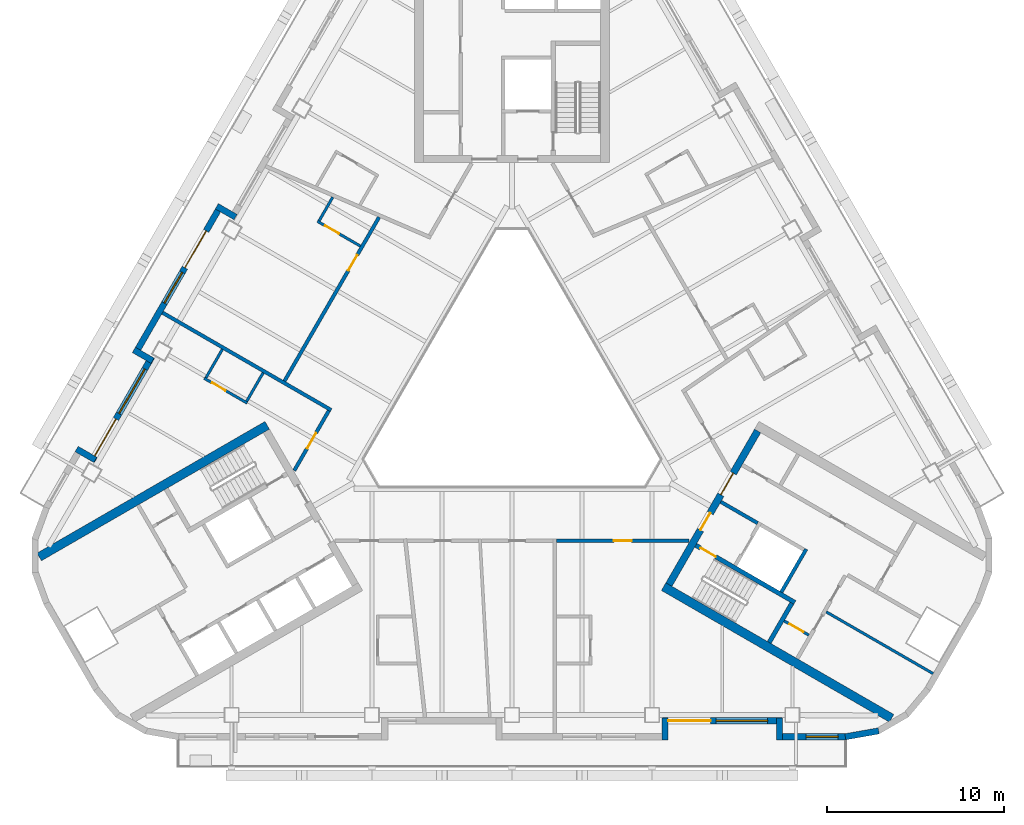
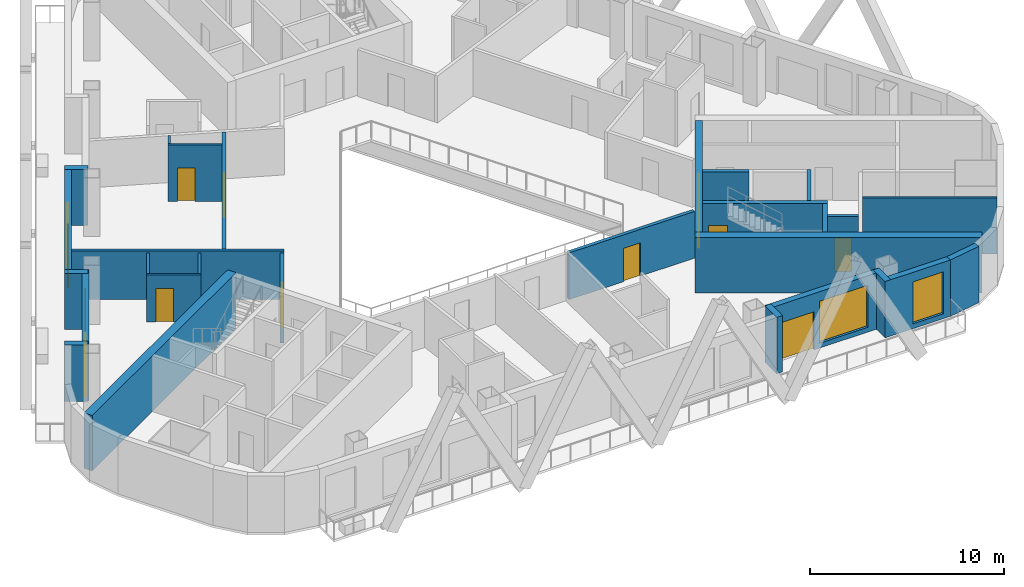
# One storey, part 4 of 13: 28 walls, 12 doors, 4 windows, 16 openings.
"""IFC4 building model written with IfcOpenShell, lengths in metres."""

from ifc_helpers import new_model, si_unit, direction, frame, frame_2d, origin, place, context, subcontext, project, spatial, rectangle, extrude, material, layer, layer_set, type_object, element, fill, save


model = new_model("IFC4")

# Units and contexts
model_context = context("Model", 3, precision=1e-05, world=origin(), true_north=direction((0.0, 1.0)))
body_context = subcontext(model_context, "Body", "Model", "MODEL_VIEW")
ifc_project = project(units=[si_unit("LENGTHUNIT", "METRE"), si_unit("AREAUNIT", "SQUARE_METRE"), si_unit("VOLUMEUNIT", "CUBIC_METRE"), si_unit("PLANEANGLEUNIT", "RADIAN"), si_unit("MASSUNIT", "GRAM", prefix="KILO")], contexts=[model_context])

# Site, building, storey
site_placement = place(None, origin())
site = spatial("IfcSite", under=ifc_project, at=site_placement, CompositionType="ELEMENT")
building_placement = place(site_placement, origin())
building = spatial("IfcBuilding", under=site, at=building_placement, Name="Apuvela Tower Hotel", CompositionType="ELEMENT")
storey_placement = place(building_placement, frame((0.0, 0.0, 161.39990234375)))
storey = spatial("IfcBuildingStorey", under=building, at=storey_placement, Name="L38", CompositionType="ELEMENT", Elevation=161.39990234375)

# Wall, openings, doors
ifc_material_1 = material(Name="Concrete C50/60", Category="concrete")
ifc_layer_1 = layer(ifc_material_1, 0.39990234375)
ifc_layer_set_1 = layer_set([ifc_layer_1], Name="COR-WALL-CORE-400")
wall_type_1 = type_object("IfcWallType", Name="COR-WALL-CORE-400", PredefinedType="SHEAR", material=ifc_layer_set_1)
wall_1_placement = place(storey_placement, frame((8.844970703125, -10.880126953125, 0.0), z_axis=(0.0, 0.0, 1.0), x_axis=(0.500004234368, 0.866022959057, 0.0)))
wall_1 = element("IfcWall", 1, at=wall_1_placement, inside=storey, type_object=wall_type_1, Name="Core wall SE", PredefinedType="SHEAR", context=body_context, shape_type="SweptSolid", body=[
    extrude(rectangle(XDim=10.0, YDim=0.39990234375, at=frame_2d((5.0, 0.0))), origin(), (0.0, 0.0, 1.0), 3.5),
])
opening_1_placement = place(wall_1_placement, frame((3.550048828125, 0.0, 0.0)))
opening_1 = element("IfcOpeningElement", 2, at=opening_1_placement, cuts=wall_1, Name="Opening E-FD", PredefinedType="OPENING", context=body_context, shape_type="SweptSolid", body=[
    extrude(rectangle(XDim=1.10009765625, YDim=2.10009765625, at=frame_2d((0.550048828125, 1.050048828125))), frame((0.0, 0.2099609375, 0.0), z_axis=(0.0, -1.0, 0.0), x_axis=(1.0, 0.0, 0.0)), (0.0, 0.0, 1.0), 0.419921875),
])
opening_2_placement = place(wall_1_placement, frame((5.85009765625, 0.0, 0.0)))
opening_2 = element("IfcOpeningElement", 3, at=opening_2_placement, cuts=wall_1, Name="Opening E-GD", PredefinedType="OPENING", context=body_context, shape_type="SweptSolid", body=[
    extrude(rectangle(XDim=1.39990234375, YDim=2.10009765625, at=frame_2d((0.699951171875, 1.050048828125))), frame((0.0, 0.2099609375, 0.0), z_axis=(0.0, -1.0, 0.0), x_axis=(1.0, 0.0, 0.0)), (0.0, 0.0, 1.0), 0.419921875),
])
ifc_material_2 = material(Name="Steel fire door, powder coated", Category="steel")
door_type_1 = type_object("IfcDoorType", Name="COR-FD-1100", OperationType="NOTDEFINED", PredefinedType="DOOR", material=ifc_material_2)
door_1_placement = place(opening_1_placement, frame((1.10009765625, 0.0, 0.0), z_axis=(0.0, 0.0, 1.0), x_axis=(-1.0, 0.0, 0.0)))
door_1 = element("IfcDoor", 4, at=door_1_placement, inside=storey, type_object=door_type_1, Name="Firefighting lobby door E-FD", OperationType="SINGLE_SWING_LEFT", OverallHeight=2.10009765625, OverallWidth=1.10009765625, PredefinedType="DOOR", context=body_context, shape_type="SweptSolid", body=[
    extrude(rectangle(XDim=1.10009765625, YDim=2.10009765625, at=frame_2d((0.550048828125, 1.050048828125))), frame((0.0, 0.02490234375, 0.0), z_axis=(0.0, -1.0, 0.0), x_axis=(1.0, 0.0, 0.0)), (0.0, 0.0, 1.0), 0.050048828125),
])
fill(opening_1, door_1)
ifc_material_3 = material(Name="Glazed steel fire door", Category="steel")
door_type_2 = type_object("IfcDoorType", Name="COR-GD-1400", OperationType="DOUBLE_DOOR_SINGLE_SWING", PredefinedType="DOOR", material=ifc_material_3)
door_2_placement = place(opening_2_placement, frame((1.39990234375, 0.0, 0.0), z_axis=(0.0, 0.0, 1.0), x_axis=(-1.0, 0.0, 0.0)))
door_2 = element("IfcDoor", 5, at=door_2_placement, inside=storey, type_object=door_type_2, Name="Lift lobby door E-GD", OperationType="DOUBLE_DOOR_SINGLE_SWING", OverallHeight=2.10009765625, OverallWidth=1.39990234375, PredefinedType="DOOR", context=body_context, shape_type="SweptSolid", body=[
    extrude(rectangle(XDim=1.39990234375, YDim=2.10009765625, at=frame_2d((0.699951171875, 1.050048828125))), frame((0.0, 0.02490234375, 0.0), z_axis=(0.0, -1.0, 0.0), x_axis=(1.0, 0.0, 0.0)), (0.0, 0.0, 1.0), 0.050048828125),
])
fill(opening_2, door_2)

# Walls
ifc_layer_2 = layer(ifc_material_1, 0.5)
ifc_layer_set_2 = layer_set([ifc_layer_2], Name="COR-WALL-CORE-500")
wall_type_2 = type_object("IfcWallType", Name="COR-WALL-CORE-500", PredefinedType="SHEAR", material=ifc_layer_set_2)
for number, where, z_axis, x_axis, name in (
    (6, (-13.796630859375, -1.9033203125, 0.0), (0.0, 0.0, 1.0), (-0.866025009528, -0.500000682871, 0.0), "Core wall SW"),
    (7, (8.546630859375, -10.99658203125, 0.0), (0.0, 0.0, 1.0), (0.866025009528, -0.500000682871, 0.0), "Core wall SE"),
):
    element("IfcWall", number, at=place(storey_placement, frame(where, z_axis=z_axis, x_axis=x_axis)), inside=storey, type_object=wall_type_2, Name=name, PredefinedType="SHEAR", context=body_context, shape_type="SweptSolid", body=[
        extrude(rectangle(XDim=14.8369140625, YDim=0.5, at=frame_2d((7.41845703125, 0.0))), origin(), (0.0, 0.0, 1.0), 3.5),
    ])

# Wall, opening, door
ifc_material_4 = material(Name="Blockwork 150 mm plastered", Category="masonry")
ifc_layer_3 = layer(ifc_material_4, 0.14990234375)
ifc_layer_set_3 = layer_set([ifc_layer_3], Name="COR-WALL-PART-150")
wall_type_3 = type_object("IfcWallType", Name="COR-WALL-PART-150", PredefinedType="PARTITIONING", material=ifc_layer_set_3)
wall_2_placement = place(storey_placement, frame((15.341552734375, -12.927734375, 0.0), z_axis=(0.0, 0.0, 1.0), x_axis=(0.865989903783, -0.500061482766, 0.0)))
wall_2 = element("IfcWall", 8, at=wall_2_placement, inside=storey, type_object=wall_type_3, Name="Partition SE", PredefinedType="PARTITIONING", context=body_context, shape_type="SweptSolid", body=[
    extrude(rectangle(XDim=1.599853515625, YDim=0.14990234375, at=frame_2d((0.7998046875, 0.0))), origin(), (0.0, 0.0, 1.0), 3.5),
])
opening_3_placement = place(wall_2_placement, frame((0.35009765625, 0.0, 0.0)))
opening_3 = element("IfcOpeningElement", 9, at=opening_3_placement, cuts=wall_2, Name="Opening E-RD", PredefinedType="OPENING", context=body_context, shape_type="SweptSolid", body=[
    extrude(rectangle(XDim=0.89990234375, YDim=2.10009765625, at=frame_2d((0.449951171875, 1.050048828125))), frame((0.0, 0.0849609375, 0.0), z_axis=(0.0, -1.0, 0.0), x_axis=(1.0, 0.0, 0.0)), (0.0, 0.0, 1.0), 0.169921875),
])
ifc_material_5 = material(Name="Steel access door, powder coated", Category="steel")
door_type_3 = type_object("IfcDoorType", Name="COR-RD-900", OperationType="NOTDEFINED", PredefinedType="DOOR", material=ifc_material_5)
door_3_placement = place(opening_3_placement, frame((0.89990234375, 0.0, 0.0), z_axis=(0.0, 0.0, 1.0), x_axis=(-1.0, 0.0, 0.0)))
door_3 = element("IfcDoor", 10, at=door_3_placement, inside=storey, type_object=door_type_3, Name="Riser door E-RD", OperationType="SINGLE_SWING_LEFT", OverallHeight=2.10009765625, OverallWidth=0.89990234375, PredefinedType="DOOR", context=body_context, shape_type="SweptSolid", body=[
    extrude(rectangle(XDim=0.89990234375, YDim=2.10009765625, at=frame_2d((0.449951171875, 1.050048828125))), frame((0.0, 0.02490234375, 0.0), z_axis=(0.0, -1.0, 0.0), x_axis=(1.0, 0.0, 0.0)), (0.0, 0.0, 1.0), 0.050048828125),
])
fill(opening_3, door_3)

# Walls
wall_3_placement = place(storey_placement, frame((17.712890625, -12.42041015625, 0.0), z_axis=(0.0, 0.0, 1.0), x_axis=(0.866016523273, -0.500015381182, 0.0)))
element("IfcWall", 11, at=wall_3_placement, inside=storey, type_object=wall_type_3, Name="Partition SE", PredefinedType="PARTITIONING", context=body_context, shape_type="SweptSolid", body=[
    extrude(rectangle(XDim=6.949951171875, YDim=0.14990234375, at=frame_2d((3.47509765625, 0.0))), origin(), (0.0, 0.0, 1.0), 3.5),
])
ifc_layer_4 = layer(ifc_material_1, 0.199951171875)
ifc_layer_set_4 = layer_set([ifc_layer_4], Name="COR-WALL-SHAFT-200")
wall_type_4 = type_object("IfcWallType", Name="COR-WALL-SHAFT-200", PredefinedType="SHEAR", material=ifc_layer_set_4)
wall_4_placement = place(storey_placement, frame((15.181396484375, -11.305419921875, 0.0), z_axis=(0.0, 0.0, 1.0), x_axis=(0.49994636267, 0.866056369097, 0.0)))
element("IfcWall", 12, at=wall_4_placement, inside=storey, type_object=wall_type_4, Name="Shaft wall SE", PredefinedType="SHEAR", context=body_context, shape_type="SweptSolid", body=[
    extrude(rectangle(XDim=2.800048828125, YDim=0.199951171875, at=frame_2d((1.39990234375, 0.0))), origin(), (0.0, 0.0, 1.0), 3.5),
])
wall_5_placement = place(storey_placement, frame((11.76806640625, -6.217041015625, 0.0), z_axis=(0.0, 0.0, 1.0), x_axis=(0.866050077142, -0.499957262057, 0.0)))
element("IfcWall", 13, at=wall_5_placement, inside=storey, type_object=wall_type_4, Name="Shaft wall SE", PredefinedType="SHEAR", context=body_context, shape_type="SweptSolid", body=[
    extrude(rectangle(XDim=2.400146484375, YDim=0.199951171875, at=frame_2d((1.2001953125, 0.0))), origin(), (0.0, 0.0, 1.0), 3.5),
])

# Wall, opening, door
ifc_layer_5 = layer(ifc_material_1, 0.25)
ifc_layer_set_5 = layer_set([ifc_layer_5], Name="COR-WALL-STAIR-250")
wall_type_5 = type_object("IfcWallType", Name="COR-WALL-STAIR-250", PredefinedType="SHEAR", material=ifc_layer_set_5)
wall_6_placement = place(storey_placement, frame((10.355712890625, -8.66357421875, 0.0), z_axis=(0.0, 0.0, 1.0), x_axis=(0.866028629588, -0.499994412703, 0.0)))
wall_6 = element("IfcWall", 14, at=wall_6_placement, inside=storey, type_object=wall_type_5, Name="Stair wall SE", PredefinedType="SHEAR", context=body_context, shape_type="SweptSolid", body=[
    extrude(rectangle(XDim=6.44970703125, YDim=0.25, at=frame_2d((3.224853515625, 0.0))), origin(), (0.0, 0.0, 1.0), 3.5),
])
opening_4_placement = place(wall_6_placement, frame((0.300048828125, 0.0, 0.0)))
opening_4 = element("IfcOpeningElement", 15, at=opening_4_placement, cuts=wall_6, Name="Opening E-SD", PredefinedType="OPENING", context=body_context, shape_type="SweptSolid", body=[
    extrude(rectangle(XDim=1.0, YDim=2.10009765625, at=frame_2d((0.5, 1.050048828125))), frame((0.0, 0.135009765625, 0.0), z_axis=(0.0, -1.0, 0.0), x_axis=(1.0, 0.0, 0.0)), (0.0, 0.0, 1.0), 0.27001953125),
])
door_type_4 = type_object("IfcDoorType", Name="COR-SD-1000", OperationType="NOTDEFINED", PredefinedType="DOOR", material=ifc_material_2)
door_4_placement = place(opening_4_placement, frame((1.0, 0.0, 0.0), z_axis=(0.0, 0.0, 1.0), x_axis=(-1.0, 0.0, 0.0)))
door_4 = element("IfcDoor", 16, at=door_4_placement, inside=storey, type_object=door_type_4, Name="Stair door E-SD", OperationType="SINGLE_SWING_LEFT", OverallHeight=2.10009765625, OverallWidth=1.0, PredefinedType="DOOR", context=body_context, shape_type="SweptSolid", body=[
    extrude(rectangle(XDim=1.0, YDim=2.10009765625, at=frame_2d((0.5, 1.050048828125))), frame((0.0, 0.02490234375, 0.0), z_axis=(0.0, -1.0, 0.0), x_axis=(1.0, 0.0, 0.0)), (0.0, 0.0, 1.0), 0.050048828125),
])
fill(opening_4, door_4)

# Walls
wall_7_placement = place(storey_placement, frame((14.49560546875, -14.142578125, 0.0), z_axis=(0.0, 0.0, 1.0), x_axis=(0.500062241894, 0.865989465428, 0.0)))
element("IfcWall", 17, at=wall_7_placement, inside=storey, type_object=wall_type_5, Name="Stair wall SE", PredefinedType="SHEAR", context=body_context, shape_type="SweptSolid", body=[
    extrude(rectangle(XDim=2.550048828125, YDim=0.25, at=frame_2d((1.27490234375, 0.0))), origin(), (0.0, 0.0, 1.0), 3.5),
])
ifc_material_6 = material(Name="Concrete C40/50, dark pigmented precast panel", Category="concrete")
ifc_layer_6 = layer(ifc_material_6, 0.35009765625)
ifc_layer_set_6 = layer_set([ifc_layer_6], Name="ENV-WALL-350")
wall_type_6 = type_object("IfcWallType", Name="ENV-WALL-350", PredefinedType="SOLIDWALL", material=ifc_layer_set_6)
wall_8_placement = place(storey_placement, frame((-15.580810546875, 9.8330078125, 0.0), z_axis=(0.0, 0.0, 1.0), x_axis=(-0.866055662726, 0.499947586314, 0.0)))
element("IfcWall", 18, at=wall_8_placement, inside=storey, type_object=wall_type_6, Name="External wall L38-04", PredefinedType="SOLIDWALL", context=body_context, shape_type="SweptSolid", body=[
    extrude(rectangle(XDim=1.220458984375, YDim=0.35009765625, at=frame_2d((0.6103515625, 0.0))), origin(), (0.0, 0.0, 1.0), 3.550048828125),
])

# Wall, openings, door, window
wall_9_placement = place(storey_placement, frame((-16.3984375, 10.507080078125, 0.0), z_axis=(0.0, 0.0, 1.0), x_axis=(-0.499999142773, -0.866025898704, 0.0)))
wall_9 = element("IfcWall", 19, at=wall_9_placement, inside=storey, type_object=wall_type_6, Name="External wall L38-05", PredefinedType="SOLIDWALL", context=body_context, shape_type="SweptSolid", body=[
    extrude(rectangle(XDim=9.7001953125, YDim=0.35009765625, at=frame_2d((4.85009765625, 0.0))), origin(), (0.0, 0.0, 1.0), 3.550048828125),
])
opening_5_placement = place(wall_9_placement, frame((1.67529296875, 0.0, 0.0)))
opening_5 = element("IfcOpeningElement", 20, at=opening_5_placement, cuts=wall_9, Name="Opening BD24", PredefinedType="OPENING", context=body_context, shape_type="SweptSolid", body=[
    extrude(rectangle(XDim=2.39990234375, YDim=2.39990234375, at=frame_2d((1.199951171875, 1.199951171875))), frame((0.0, 0.18505859375, 0.0), z_axis=(0.0, -1.0, 0.0), x_axis=(1.0, 0.0, 0.0)), (0.0, 0.0, 1.0), 0.3701171875),
])
opening_6_placement = place(wall_9_placement, frame((4.37548828125, 0.0, 0.300048828125)))
opening_6 = element("IfcOpeningElement", 21, at=opening_6_placement, cuts=wall_9, Name="Opening WN20", PredefinedType="OPENING", context=body_context, shape_type="SweptSolid", body=[
    extrude(rectangle(XDim=2.0, YDim=2.64990234375, at=frame_2d((1.0, 1.324951171875))), frame((0.0, 0.18505859375, 0.0), z_axis=(0.0, -1.0, 0.0), x_axis=(1.0, 0.0, 0.0)), (0.0, 0.0, 1.0), 0.3701171875),
])
ifc_material_7 = material(Name="Aluminium 6063-T6, dark bronze anodised frame with dark tinted laminated glass", Category="aluminium")
door_type_5 = type_object("IfcDoorType", Name="ENV-DOOR-BALCONY-2400x2400", OperationType="SLIDING_TO_LEFT", PredefinedType="DOOR", material=ifc_material_7)
door_5_placement = place(opening_5_placement, frame((2.39990234375, 0.0, 0.0), z_axis=(0.0, 0.0, 1.0), x_axis=(-1.0, 0.0, 0.0)))
door_5 = element("IfcDoor", 22, at=door_5_placement, inside=storey, type_object=door_type_5, Name="Balcony door BD24", OperationType="SLIDING_TO_LEFT", OverallHeight=2.39990234375, OverallWidth=2.39990234375, PredefinedType="DOOR", context=body_context, shape_type="SweptSolid", body=[
    extrude(rectangle(XDim=2.39990234375, YDim=2.39990234375, at=frame_2d((1.199951171875, 1.199951171875))), frame((0.0, 0.02490234375, 0.0), z_axis=(0.0, -1.0, 0.0), x_axis=(1.0, 0.0, 0.0)), (0.0, 0.0, 1.0), 0.050048828125),
])
fill(opening_5, door_5)
ifc_material_8 = material(Name="Glass, dark tinted laminated insulated glazing unit", Category="glass")
window_type_1 = type_object("IfcWindowType", Name="ENV-WIN-2000x2650", PartitioningType="SINGLE_PANEL", PredefinedType="WINDOW", material=ifc_material_8)
window_1_placement = place(opening_6_placement, origin())
window_1 = element("IfcWindow", 23, at=window_1_placement, inside=storey, type_object=window_type_1, Name="Window WN20", OverallHeight=2.64990234375, OverallWidth=2.0, PartitioningType="SINGLE_PANEL", PredefinedType="WINDOW", context=body_context, shape_type="SweptSolid", body=[
    extrude(rectangle(XDim=2.0, YDim=2.64990234375, at=frame_2d((1.0, 1.324951171875))), frame((0.0, 0.030029296875, 0.0), z_axis=(0.0, -1.0, 0.0), x_axis=(1.0, 0.0, 0.0)), (0.0, 0.0, 1.0), 0.06005859375),
])
fill(opening_6, window_1)

# Wall
wall_10_placement = place(storey_placement, frame((-21.3125, 2.345703125, 0.0), z_axis=(0.0, 0.0, 1.0), x_axis=(0.866005645448, -0.500034220881, 0.0)))
element("IfcWall", 24, at=wall_10_placement, inside=storey, type_object=wall_type_6, Name="External wall L38-06", PredefinedType="SOLIDWALL", context=body_context, shape_type="SweptSolid", body=[
    extrude(rectangle(XDim=1.22021484375, YDim=0.35009765625, at=frame_2d((0.610107421875, 0.0))), origin(), (0.0, 0.0, 1.0), 3.550048828125),
])

# Wall, openings, door, window
wall_11_placement = place(storey_placement, frame((-20.30908203125, 1.93359375, 0.0), z_axis=(0.0, 0.0, 1.0), x_axis=(-0.499992114976, -0.866029956157, 0.0)))
wall_11 = element("IfcWall", 25, at=wall_11_placement, inside=storey, type_object=wall_type_6, Name="External wall L38-07", PredefinedType="SOLIDWALL", context=body_context, shape_type="SweptSolid", body=[
    extrude(rectangle(XDim=6.73974609375, YDim=0.35009765625, at=frame_2d((3.369873046875, 0.0))), origin(), (0.0, 0.0, 1.0), 3.550048828125),
])
opening_7_placement = place(wall_11_placement, frame((4.02001953125, 0.0, 0.0)))
opening_7 = element("IfcOpeningElement", 26, at=opening_7_placement, cuts=wall_11, Name="Opening BD24", PredefinedType="OPENING", context=body_context, shape_type="SweptSolid", body=[
    extrude(rectangle(XDim=2.39990234375, YDim=2.39990234375, at=frame_2d((1.199951171875, 1.199951171875))), frame((0.0, 0.18505859375, 0.0), z_axis=(0.0, -1.0, 0.0), x_axis=(1.0, 0.0, 0.0)), (0.0, 0.0, 1.0), 0.3701171875),
])
opening_8_placement = place(wall_11_placement, frame((0.77001953125, 0.0, 0.300048828125)))
opening_8 = element("IfcOpeningElement", 27, at=opening_8_placement, cuts=wall_11, Name="Opening WN29", PredefinedType="OPENING", context=body_context, shape_type="SweptSolid", body=[
    extrude(rectangle(XDim=2.89990234375, YDim=2.64990234375, at=frame_2d((1.449951171875, 1.324951171875))), frame((0.0, 0.18505859375, 0.0), z_axis=(0.0, -1.0, 0.0), x_axis=(1.0, 0.0, 0.0)), (0.0, 0.0, 1.0), 0.3701171875),
])
door_6_placement = place(opening_7_placement, frame((2.39990234375, 0.0, 0.0), z_axis=(0.0, 0.0, 1.0), x_axis=(-1.0, 0.0, 0.0)))
door_6 = element("IfcDoor", 28, at=door_6_placement, inside=storey, type_object=door_type_5, Name="Balcony door BD24", OperationType="SLIDING_TO_LEFT", OverallHeight=2.39990234375, OverallWidth=2.39990234375, PredefinedType="DOOR", context=body_context, shape_type="SweptSolid", body=[
    extrude(rectangle(XDim=2.39990234375, YDim=2.39990234375, at=frame_2d((1.199951171875, 1.199951171875))), frame((0.0, 0.02490234375, 0.0), z_axis=(0.0, -1.0, 0.0), x_axis=(1.0, 0.0, 0.0)), (0.0, 0.0, 1.0), 0.050048828125),
])
fill(opening_7, door_6)
window_type_2 = type_object("IfcWindowType", Name="ENV-WIN-2900x2650", PartitioningType="SINGLE_PANEL", PredefinedType="WINDOW", material=ifc_material_8)
window_2_placement = place(opening_8_placement, origin())
window_2 = element("IfcWindow", 29, at=window_2_placement, inside=storey, type_object=window_type_2, Name="Window WN29", OverallHeight=2.64990234375, OverallWidth=2.89990234375, PartitioningType="SINGLE_PANEL", PredefinedType="WINDOW", context=body_context, shape_type="SweptSolid", body=[
    extrude(rectangle(XDim=2.89990234375, YDim=2.64990234375, at=frame_2d((1.449951171875, 1.324951171875))), frame((0.0, 0.030029296875, 0.0), z_axis=(0.0, -1.0, 0.0), x_axis=(1.0, 0.0, 0.0)), (0.0, 0.0, 1.0), 0.06005859375),
])
fill(opening_8, window_2)

# Walls
for number, where, z_axis, x_axis, name in (
    (30, (-23.48095703125, -3.85009765625, 0.0), (0.0, 0.0, 1.0), (-0.866092288191, 0.499884134912, 0.0), "External wall L38-08"),
    (31, (8.625, -19.6298828125, 0.0), (0.0, 0.0, 1.0), (0.0, 1.0, 0.0), "External wall L38-22"),
):
    element("IfcWall", number, at=place(storey_placement, frame(where, z_axis=z_axis, x_axis=x_axis)), inside=storey, type_object=wall_type_6, Name=name, PredefinedType="SOLIDWALL", context=body_context, shape_type="SweptSolid", body=[
        extrude(rectangle(XDim=1.219970703125, YDim=0.35009765625, at=frame_2d((0.60986328125, 0.0))), origin(), (0.0, 0.0, 1.0), 3.550048828125),
    ])

# Wall, openings, door, window
wall_12_placement = place(storey_placement, frame((8.47998046875, -18.554931640625, 0.0), z_axis=(0.0, 0.0, 1.0), x_axis=(1.0, 0.0, 0.0)))
wall_12 = element("IfcWall", 32, at=wall_12_placement, inside=storey, type_object=wall_type_6, Name="External wall L38-23", PredefinedType="SOLIDWALL", context=body_context, shape_type="SweptSolid", body=[
    extrude(rectangle(XDim=6.739990234375, YDim=0.35009765625, at=frame_2d((3.3701171875, 0.0))), origin(), (0.0, 0.0, 1.0), 3.550048828125),
])
opening_9_placement = place(wall_12_placement, frame((0.3203125, 0.0, 0.0)))
opening_9 = element("IfcOpeningElement", 33, at=opening_9_placement, cuts=wall_12, Name="Opening BD24", PredefinedType="OPENING", context=body_context, shape_type="SweptSolid", body=[
    extrude(rectangle(XDim=2.39990234375, YDim=2.39990234375, at=frame_2d((1.199951171875, 1.199951171875))), frame((0.0, 0.18505859375, 0.0), z_axis=(0.0, -1.0, 0.0), x_axis=(1.0, 0.0, 0.0)), (0.0, 0.0, 1.0), 0.3701171875),
])
opening_10_placement = place(wall_12_placement, frame((3.020263671875, 0.0, 0.300048828125)))
opening_10 = element("IfcOpeningElement", 34, at=opening_10_placement, cuts=wall_12, Name="Opening WN29", PredefinedType="OPENING", context=body_context, shape_type="SweptSolid", body=[
    extrude(rectangle(XDim=2.89990234375, YDim=2.64990234375, at=frame_2d((1.449951171875, 1.324951171875))), frame((0.0, 0.18505859375, 0.0), z_axis=(0.0, -1.0, 0.0), x_axis=(1.0, 0.0, 0.0)), (0.0, 0.0, 1.0), 0.3701171875),
])
door_7_placement = place(opening_9_placement, frame((2.39990234375, 0.0, 0.0), z_axis=(0.0, 0.0, 1.0), x_axis=(-1.0, 0.0, 0.0)))
door_7 = element("IfcDoor", 35, at=door_7_placement, inside=storey, type_object=door_type_5, Name="Balcony door BD24", OperationType="SLIDING_TO_LEFT", OverallHeight=2.39990234375, OverallWidth=2.39990234375, PredefinedType="DOOR", context=body_context, shape_type="SweptSolid", body=[
    extrude(rectangle(XDim=2.39990234375, YDim=2.39990234375, at=frame_2d((1.199951171875, 1.199951171875))), frame((0.0, 0.02490234375, 0.0), z_axis=(0.0, -1.0, 0.0), x_axis=(1.0, 0.0, 0.0)), (0.0, 0.0, 1.0), 0.050048828125),
])
fill(opening_9, door_7)
window_3_placement = place(opening_10_placement, origin())
window_3 = element("IfcWindow", 36, at=window_3_placement, inside=storey, type_object=window_type_2, Name="Window WN29", OverallHeight=2.64990234375, OverallWidth=2.89990234375, PartitioningType="SINGLE_PANEL", PredefinedType="WINDOW", context=body_context, shape_type="SweptSolid", body=[
    extrude(rectangle(XDim=2.89990234375, YDim=2.64990234375, at=frame_2d((1.449951171875, 1.324951171875))), frame((0.0, 0.030029296875, 0.0), z_axis=(0.0, -1.0, 0.0), x_axis=(1.0, 0.0, 0.0)), (0.0, 0.0, 1.0), 0.06005859375),
])
fill(opening_10, window_3)

# Wall
wall_13_placement = place(storey_placement, frame((15.074951171875, -18.409912109375, 0.0), z_axis=(0.0, 0.0, 1.0), x_axis=(0.0, -1.0, 0.0)))
element("IfcWall", 37, at=wall_13_placement, inside=storey, type_object=wall_type_6, Name="External wall L38-24", PredefinedType="SOLIDWALL", context=body_context, shape_type="SweptSolid", body=[
    extrude(rectangle(XDim=1.219970703125, YDim=0.35009765625, at=frame_2d((0.60986328125, 0.0))), origin(), (0.0, 0.0, 1.0), 3.550048828125),
])

# Wall, opening, window
wall_14_placement = place(storey_placement, frame((14.89990234375, -19.455078125, 0.0), z_axis=(0.0, 0.0, 1.0), x_axis=(1.0, 0.0, 0.0)))
wall_14 = element("IfcWall", 38, at=wall_14_placement, inside=storey, type_object=wall_type_6, Name="External wall L38-25", PredefinedType="SOLIDWALL", context=body_context, shape_type="SweptSolid", body=[
    extrude(rectangle(XDim=3.916015625, YDim=0.35009765625, at=frame_2d((1.9580078125, 0.0))), origin(), (0.0, 0.0, 1.0), 3.550048828125),
])
opening_11_placement = place(wall_14_placement, frame((1.674560546875, 0.0, 0.300048828125)))
opening_11 = element("IfcOpeningElement", 39, at=opening_11_placement, cuts=wall_14, Name="Opening WN18", PredefinedType="OPENING", context=body_context, shape_type="SweptSolid", body=[
    extrude(rectangle(XDim=1.800048828125, YDim=2.64990234375, at=frame_2d((0.89990234375, 1.324951171875))), frame((0.0, 0.18505859375, 0.0), z_axis=(0.0, -1.0, 0.0), x_axis=(1.0, 0.0, 0.0)), (0.0, 0.0, 1.0), 0.3701171875),
])
window_type_3 = type_object("IfcWindowType", Name="ENV-WIN-1800x2650", PartitioningType="SINGLE_PANEL", PredefinedType="WINDOW", material=ifc_material_8)
window_4_placement = place(opening_11_placement, origin())
window_4 = element("IfcWindow", 40, at=window_4_placement, inside=storey, type_object=window_type_3, Name="Window WN18", OverallHeight=2.64990234375, OverallWidth=1.800048828125, PartitioningType="SINGLE_PANEL", PredefinedType="WINDOW", context=body_context, shape_type="SweptSolid", body=[
    extrude(rectangle(XDim=1.800048828125, YDim=2.64990234375, at=frame_2d((0.89990234375, 1.324951171875))), frame((0.0, 0.030029296875, 0.0), z_axis=(0.0, -1.0, 0.0), x_axis=(1.0, 0.0, 0.0)), (0.0, 0.0, 1.0), 0.06005859375),
])
fill(opening_11, window_4)

# Walls
wall_15_placement = place(storey_placement, frame((18.785400390625, -19.457763671875, 0.0), z_axis=(0.0, 0.0, 1.0), x_axis=(0.984798995425, 0.173697837091, 0.0)))
element("IfcWall", 41, at=wall_15_placement, inside=storey, type_object=wall_type_6, Name="External wall L38-26", PredefinedType="SOLIDWALL", context=body_context, shape_type="SweptSolid", body=[
    extrude(rectangle(XDim=1.91015625, YDim=0.35009765625, at=frame_2d((0.955078125, 0.0))), origin(), (0.0, 0.0, 1.0), 3.550048828125),
])
ifc_material_9 = material(Name="Gypsum board partition on twin steel stud", Category="steel")
ifc_layer_7 = layer(ifc_material_9, 0.199951171875)
ifc_layer_set_7 = layer_set([ifc_layer_7], Name="GST-PW1")
wall_type_7 = type_object("IfcWallType", Name="GST-PW1", PredefinedType="PARTITIONING", material=ifc_layer_set_7)
wall_16_placement = place(storey_placement, frame((-19.697021484375, 4.44384765625, 0.0), z_axis=(0.0, 0.0, 1.0), x_axis=(0.866027479907, -0.499996404033, 0.0)))
element("IfcWall", 42, at=wall_16_placement, inside=storey, type_object=wall_type_7, Name="L38 partition 06", PredefinedType="PARTITIONING", context=body_context, shape_type="SweptSolid", body=[
    extrude(rectangle(XDim=10.97998046875, YDim=0.199951171875, at=frame_2d((5.489990234375, 0.0))), origin(), (0.0, 0.0, 1.0), 3.06005859375),
])

# Wall, opening, door
ifc_material_10 = material(Name="Gypsum board corridor wall on twin steel stud, acoustic", Category="steel")
ifc_layer_8 = layer(ifc_material_10, 0.199951171875)
ifc_layer_set_8 = layer_set([ifc_layer_8], Name="GST-PW2")
wall_type_8 = type_object("IfcWallType", Name="GST-PW2", PredefinedType="PARTITIONING", material=ifc_layer_set_8)
wall_17_placement = place(storey_placement, frame((9.98828125, -8.39990234375, 0.0), z_axis=(0.0, 0.0, 1.0), x_axis=(-1.0, 0.0, 0.0)))
wall_17 = element("IfcWall", 43, at=wall_17_placement, inside=storey, type_object=wall_type_8, Name="L38 partition 14", PredefinedType="PARTITIONING", context=body_context, shape_type="SweptSolid", body=[
    extrude(rectangle(XDim=7.48828125, YDim=0.199951171875, at=frame_2d((3.744140625, 0.0))), origin(), (0.0, 0.0, 1.0), 2.9501953125),
])
opening_12_placement = place(wall_17_placement, frame((3.244140625, 0.0, 0.0)))
opening_12 = element("IfcOpeningElement", 44, at=opening_12_placement, cuts=wall_17, Name="Opening GD14-06", PredefinedType="OPENING", context=body_context, shape_type="SweptSolid", body=[
    extrude(rectangle(XDim=1.0, YDim=2.10009765625, at=frame_2d((0.5, 1.050048828125))), frame((0.0, 0.10986328125, 0.0), z_axis=(0.0, -1.0, 0.0), x_axis=(1.0, 0.0, 0.0)), (0.0, 0.0, 1.0), 0.219970703125),
])
ifc_material_11 = material(Name="Timber door leaf in steel frame", Category="steel")
door_type_6 = type_object("IfcDoorType", Name="GST-D1", OperationType="NOTDEFINED", PredefinedType="DOOR", material=ifc_material_11)
door_8_placement = place(opening_12_placement, origin())
door_8 = element("IfcDoor", 45, at=door_8_placement, inside=storey, type_object=door_type_6, Name="Door L38-06", OperationType="SINGLE_SWING_RIGHT", OverallHeight=2.10009765625, OverallWidth=1.0, PredefinedType="DOOR", context=body_context, shape_type="SweptSolid", body=[
    extrude(rectangle(XDim=1.0, YDim=2.10009765625, at=frame_2d((0.5, 1.050048828125))), frame((0.0, 0.02490234375, 0.0), z_axis=(0.0, -1.0, 0.0), x_axis=(1.0, 0.0, 0.0)), (0.0, 0.0, 1.0), 0.050048828125),
])
fill(opening_12, door_8)

wall_18_placement = place(storey_placement, frame((-12.82275390625, 0.590576171875, 0.0), z_axis=(0.0, 0.0, 1.0), x_axis=(0.500005210312, 0.866022395588, 0.0)))
wall_18 = element("IfcWall", 46, at=wall_18_placement, inside=storey, type_object=wall_type_8, Name="L38 partition 33", PredefinedType="PARTITIONING", context=body_context, shape_type="SweptSolid", body=[
    extrude(rectangle(XDim=10.6630859375, YDim=0.199951171875, at=frame_2d((5.33154296875, 0.0))), origin(), (0.0, 0.0, 1.0), 2.9501953125),
])
opening_13_placement = place(wall_18_placement, frame((7.201416015625, 0.0, 0.0)))
opening_13 = element("IfcOpeningElement", 47, at=opening_13_placement, cuts=wall_18, Name="Opening GD14-16", PredefinedType="OPENING", context=body_context, shape_type="SweptSolid", body=[
    extrude(rectangle(XDim=1.0, YDim=2.10009765625, at=frame_2d((0.5, 1.050048828125))), frame((0.0, 0.10986328125, 0.0), z_axis=(0.0, -1.0, 0.0), x_axis=(1.0, 0.0, 0.0)), (0.0, 0.0, 1.0), 0.219970703125),
])
door_9_placement = place(opening_13_placement, origin())
door_9 = element("IfcDoor", 48, at=door_9_placement, inside=storey, type_object=door_type_6, Name="Door L38-16", OperationType="SINGLE_SWING_LEFT", OverallHeight=2.10009765625, OverallWidth=1.0, PredefinedType="DOOR", context=body_context, shape_type="SweptSolid", body=[
    extrude(rectangle(XDim=1.0, YDim=2.10009765625, at=frame_2d((0.5, 1.050048828125))), frame((0.0, 0.02490234375, 0.0), z_axis=(0.0, -1.0, 0.0), x_axis=(1.0, 0.0, 0.0)), (0.0, 0.0, 1.0), 0.050048828125),
])
fill(opening_13, door_9)

wall_19_placement = place(storey_placement, frame((-12.268798828125, -4.449951171875, 0.0), z_axis=(0.0, 0.0, 1.0), x_axis=(0.500008716408, 0.866020371305, 0.0)))
wall_19 = element("IfcWall", 49, at=wall_19_placement, inside=storey, type_object=wall_type_8, Name="L38 partition 36", PredefinedType="PARTITIONING", context=body_context, shape_type="SweptSolid", body=[
    extrude(rectangle(XDim=3.88818359375, YDim=0.199951171875, at=frame_2d((1.944091796875, 0.0))), origin(), (0.0, 0.0, 1.0), 2.9501953125),
])
opening_14_placement = place(wall_19_placement, frame((1.444091796875, 0.0, 0.0)))
opening_14 = element("IfcOpeningElement", 50, at=opening_14_placement, cuts=wall_19, Name="Opening GD14-18", PredefinedType="OPENING", context=body_context, shape_type="SweptSolid", body=[
    extrude(rectangle(XDim=1.0, YDim=2.10009765625, at=frame_2d((0.5, 1.050048828125))), frame((0.0, 0.10986328125, 0.0), z_axis=(0.0, -1.0, 0.0), x_axis=(1.0, 0.0, 0.0)), (0.0, 0.0, 1.0), 0.219970703125),
])
door_10_placement = place(opening_14_placement, origin())
door_10 = element("IfcDoor", 51, at=door_10_placement, inside=storey, type_object=door_type_6, Name="Door L38-18", OperationType="SINGLE_SWING_RIGHT", OverallHeight=2.10009765625, OverallWidth=1.0, PredefinedType="DOOR", context=body_context, shape_type="SweptSolid", body=[
    extrude(rectangle(XDim=1.0, YDim=2.10009765625, at=frame_2d((0.5, 1.050048828125))), frame((0.0, 0.02490234375, 0.0), z_axis=(0.0, -1.0, 0.0), x_axis=(1.0, 0.0, 0.0)), (0.0, 0.0, 1.0), 0.050048828125),
])
fill(opening_14, door_10)

ifc_material_12 = material(Name="Moisture-resistant gypsum board wet wall on steel stud", Category="steel")
ifc_layer_9 = layer(ifc_material_12, 0.14990234375)
ifc_layer_set_9 = layer_set([ifc_layer_9], Name="GST-PW3")
wall_type_9 = type_object("IfcWallType", Name="GST-PW3", PredefinedType="PARTITIONING", material=ifc_layer_set_9)
wall_20_placement = place(storey_placement, frame((-10.970947265625, 9.597900390625, 0.0), z_axis=(0.0, 0.0, 1.0), x_axis=(0.865996816683, -0.500049511043, 0.0)))
wall_20 = element("IfcWall", 52, at=wall_20_placement, inside=storey, type_object=wall_type_9, Name="L38 partition 34", PredefinedType="PARTITIONING", context=body_context, shape_type="SweptSolid", body=[
    extrude(rectangle(XDim=2.800048828125, YDim=0.14990234375, at=frame_2d((1.39990234375, 0.0))), origin(), (0.0, 0.0, 1.0), 3.550048828125),
])
opening_15_placement = place(wall_20_placement, frame((0.5, 0.0, 0.0)))
opening_15 = element("IfcOpeningElement", 53, at=opening_15_placement, cuts=wall_20, Name="Opening GD14-15", PredefinedType="OPENING", context=body_context, shape_type="SweptSolid", body=[
    extrude(rectangle(XDim=0.89990234375, YDim=2.10009765625, at=frame_2d((0.449951171875, 1.050048828125))), frame((0.0, 0.0849609375, 0.0), z_axis=(0.0, -1.0, 0.0), x_axis=(1.0, 0.0, 0.0)), (0.0, 0.0, 1.0), 0.169921875),
])
door_type_7 = type_object("IfcDoorType", Name="GST-D2", OperationType="NOTDEFINED", PredefinedType="DOOR", material=ifc_material_11)
door_11_placement = place(opening_15_placement, origin())
door_11 = element("IfcDoor", 54, at=door_11_placement, inside=storey, type_object=door_type_7, Name="Door L38-15", OperationType="SINGLE_SWING_LEFT", OverallHeight=2.10009765625, OverallWidth=0.89990234375, PredefinedType="DOOR", context=body_context, shape_type="SweptSolid", body=[
    extrude(rectangle(XDim=0.89990234375, YDim=2.10009765625, at=frame_2d((0.449951171875, 1.050048828125))), frame((0.0, 0.02490234375, 0.0), z_axis=(0.0, -1.0, 0.0), x_axis=(1.0, 0.0, 0.0)), (0.0, 0.0, 1.0), 0.050048828125),
])
fill(opening_15, door_11)

# Wall
wall_21_placement = place(storey_placement, frame((-10.1015625, 10.95361328125, 0.0), z_axis=(0.0, 0.0, 1.0), x_axis=(-0.499956687145, -0.866050409029, 0.0)))
element("IfcWall", 55, at=wall_21_placement, inside=storey, type_object=wall_type_9, Name="L38 partition 35", PredefinedType="PARTITIONING", context=body_context, shape_type="SweptSolid", body=[
    extrude(rectangle(XDim=1.533935546875, YDim=0.14990234375, at=frame_2d((0.76708984375, 0.0))), origin(), (0.0, 0.0, 1.0), 2.9501953125),
])

# Wall, opening, door
wall_22_placement = place(storey_placement, frame((-17.349365234375, 0.75, 0.0), z_axis=(0.0, 0.0, 1.0), x_axis=(0.866056369097, -0.49994636267, 0.0)))
wall_22 = element("IfcWall", 56, at=wall_22_placement, inside=storey, type_object=wall_type_9, Name="L38 partition 37", PredefinedType="PARTITIONING", context=body_context, shape_type="SweptSolid", body=[
    extrude(rectangle(XDim=2.800048828125, YDim=0.14990234375, at=frame_2d((1.39990234375, 0.0))), origin(), (0.0, 0.0, 1.0), 2.9501953125),
])
opening_16_placement = place(wall_22_placement, frame((0.5, 0.0, 0.0)))
opening_16 = element("IfcOpeningElement", 57, at=opening_16_placement, cuts=wall_22, Name="Opening GD14-17", PredefinedType="OPENING", context=body_context, shape_type="SweptSolid", body=[
    extrude(rectangle(XDim=0.89990234375, YDim=2.10009765625, at=frame_2d((0.449951171875, 1.050048828125))), frame((0.0, 0.0849609375, 0.0), z_axis=(0.0, -1.0, 0.0), x_axis=(1.0, 0.0, 0.0)), (0.0, 0.0, 1.0), 0.169921875),
])
door_12_placement = place(opening_16_placement, origin())
door_12 = element("IfcDoor", 58, at=door_12_placement, inside=storey, type_object=door_type_7, Name="Door L38-17", OperationType="SINGLE_SWING_LEFT", OverallHeight=2.10009765625, OverallWidth=0.89990234375, PredefinedType="DOOR", context=body_context, shape_type="SweptSolid", body=[
    extrude(rectangle(XDim=0.89990234375, YDim=2.10009765625, at=frame_2d((0.449951171875, 1.050048828125))), frame((0.0, 0.02490234375, 0.0), z_axis=(0.0, -1.0, 0.0), x_axis=(1.0, 0.0, 0.0)), (0.0, 0.0, 1.0), 0.050048828125),
])
fill(opening_16, door_12)

# Walls
for number, where, z_axis, x_axis, name in (
    (59, (-16.32177734375, 2.379638671875, 0.0), (0.0, 0.0, 1.0), (-0.500042316284, -0.866000971088, 0.0), "L38 partition 38"),
    (60, (-14.02685546875, 1.0546875, 0.0), (0.0, 0.0, 1.0), (-0.500042316284, -0.866000971088, 0.0), "L38 partition 39"),
):
    element("IfcWall", number, at=place(storey_placement, frame(where, z_axis=z_axis, x_axis=x_axis)), inside=storey, type_object=wall_type_9, Name=name, PredefinedType="PARTITIONING", context=body_context, shape_type="SweptSolid", body=[
        extrude(rectangle(XDim=1.849853515625, YDim=0.14990234375, at=frame_2d((0.9248046875, 0.0))), origin(), (0.0, 0.0, 1.0), 2.9501953125),
    ])

save(model, "model.ifc")
